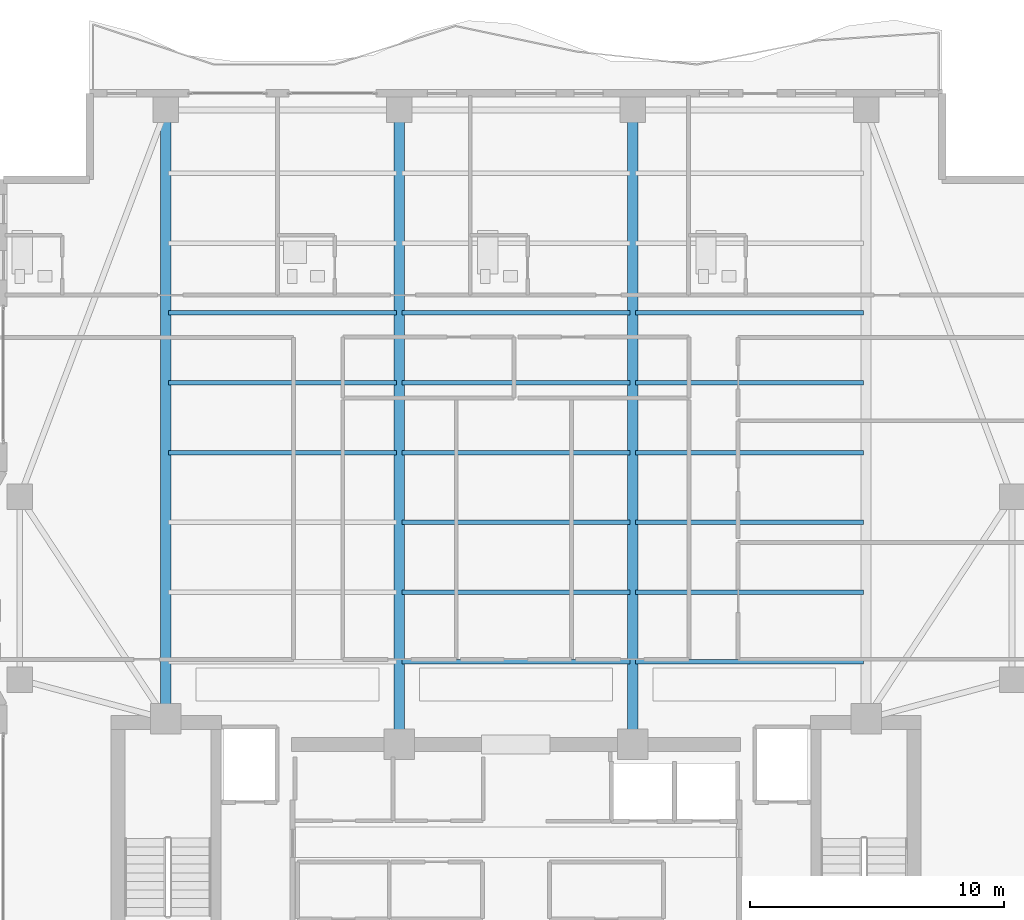
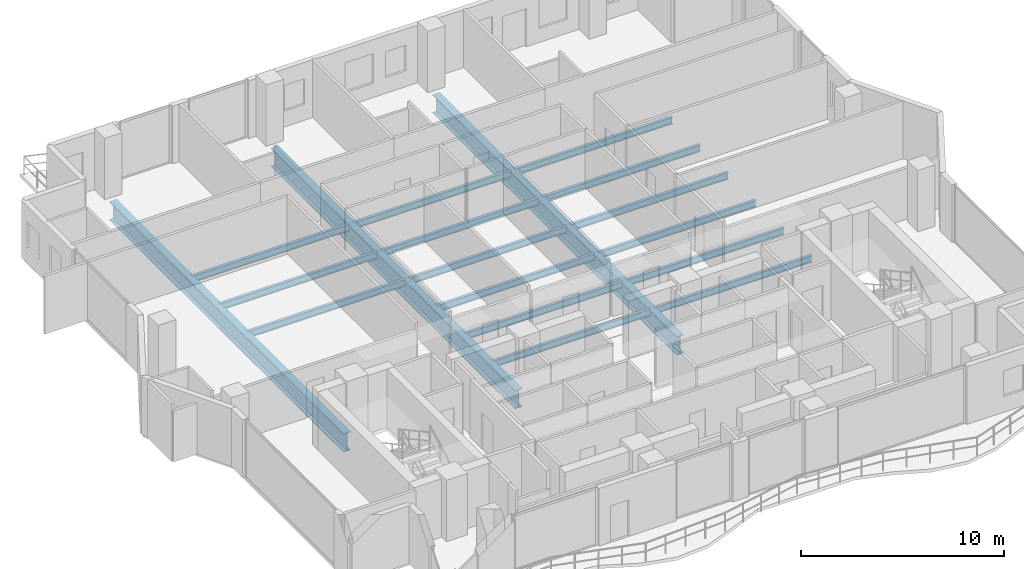
# One storey, part 7 of 24: 18 beams.
"""IFC4 building model written with IfcOpenShell, lengths in metres."""

import ifcopenshell
import ifcopenshell.guid

model = None  # the IFC model being written
_history = None  # IfcOwnerHistory: only IFC2X3 demands one
_inside = {}  # id of a spatial element -> (the spatial element, [elements in it])
_under = {}  # id of a project, library or spatial element -> (it, [spatial elements below it])
_declared = {}  # id of a project -> (the project, [libraries it declares])
_typed = {}  # id of a type object -> (the type object, [elements of that type])
_made_of = {}  # id of a material, layer set ... -> (it, [elements and type objects made of it])


def new_model(schema):
    """Start an empty IFC model of exactly this schema.

    Asked for "IFC4X3", IfcOpenShell would pick the latest addendum, in which some entities
    have other attributes; the version numbers below select the first issue.
    IFC2X3 requires an IfcOwnerHistory on every rooted entity: one is made here for all.
    """
    global model, _history
    if schema == "IFC4X3":
        model = ifcopenshell.file(schema_version=(4, 3, 0, 0))
    else:
        model = ifcopenshell.file(schema=schema)
    _inside.clear()
    _under.clear()
    _declared.clear()
    _typed.clear()
    _made_of.clear()
    _history = None
    if model.schema == "IFC2X3":
        org = make("IfcOrganization", Name="unknown")
        user = make(
            "IfcPersonAndOrganization",
            ThePerson=make("IfcPerson", FamilyName="unknown"),
            TheOrganization=org,
        )
        app = make(
            "IfcApplication",
            ApplicationDeveloper=org,
            Version="unknown",
            ApplicationFullName="unknown",
            ApplicationIdentifier="unknown",
        )
        _history = make(
            "IfcOwnerHistory",
            OwningUser=user,
            OwningApplication=app,
            ChangeAction="ADDED",
            CreationDate=0,
        )
    return model


def make(cls, **values):
    """One entity of the class cls with the attributes given. An attribute that is None is left unset."""
    return model.create_entity(
        cls, **{name: value for name, value in values.items() if value is not None}
    )


def rooted(cls, **values):
    """An entity with a GlobalId (a new one), such as an element, a storey or a relation."""
    return make(cls, GlobalId=ifcopenshell.guid.new(), OwnerHistory=_history, **values)


def si_unit(unit_type, name, prefix=None):
    """IfcSIUnit, for example si_unit("LENGTHUNIT", "METRE", prefix="MILLI")."""
    return make("IfcSIUnit", UnitType=unit_type, Prefix=prefix, Name=name)


def assignment(units):
    """IfcUnitAssignment: the units of a project."""
    return None if units is None else make("IfcUnitAssignment", Units=units)


def point(xyz):
    """IfcCartesianPoint."""
    return None if xyz is None else make("IfcCartesianPoint", Coordinates=xyz)


def direction(xyz):
    """IfcDirection."""
    return None if xyz is None else make("IfcDirection", DirectionRatios=xyz)


def frame(location, z_axis=None, x_axis=None):
    """IfcAxis2Placement3D, a coordinate frame: its origin and axes. An axis left out is left unset."""
    return make(
        "IfcAxis2Placement3D",
        Location=point(location),
        Axis=direction(z_axis),
        RefDirection=direction(x_axis),
    )


def frame_2d(location, x_axis=None):
    """IfcAxis2Placement2D, a coordinate frame in the plane: its origin and x axis."""
    return make(
        "IfcAxis2Placement2D", Location=point(location), RefDirection=direction(x_axis)
    )


def origin():
    """The frame at (0, 0, 0) with its axes left unset."""
    return frame((0.0, 0.0, 0.0))


def origin_2d():
    """The frame at (0, 0) in the plane with its x axis left unset."""
    return frame_2d((0.0, 0.0))


def place(relative_to, where):
    """IfcLocalPlacement: puts the frame where relative to a parent placement (None: the world)."""
    return make(
        "IfcLocalPlacement", PlacementRelTo=relative_to, RelativePlacement=where
    )


def context(
    kind, dimensions, precision=None, world=None, true_north=None, identifier=None
):
    """IfcGeometricRepresentationContext, for example the 3D "Model" context."""
    return make(
        "IfcGeometricRepresentationContext",
        ContextIdentifier=identifier,
        ContextType=kind,
        CoordinateSpaceDimension=dimensions,
        Precision=precision,
        WorldCoordinateSystem=world,
        TrueNorth=true_north,
    )


def subcontext(parent, identifier, kind, view, scale=None):
    """IfcGeometricRepresentationSubContext, for example "Body" below "Model"."""
    return make(
        "IfcGeometricRepresentationSubContext",
        ContextIdentifier=identifier,
        ContextType=kind,
        ParentContext=parent,
        TargetScale=scale,
        TargetView=view,
    )


def project(units=None, contexts=None):
    """IfcProject with its units and contexts."""
    return rooted(
        "IfcProject",
        Name="project",
        RepresentationContexts=contexts,
        UnitsInContext=assignment(units),
    )


def spatial(cls, under=None, at=None, **own):
    """A site, building, storey or space (cls), placed at a placement, below another one or the project."""
    s = rooted(cls, ObjectPlacement=at, **own)
    if under is not None:
        _under.setdefault(under.id(), (under, []))[1].append(s)
    return s


def profile(cls, at=None, kind="AREA", **sizes):
    """A parametric profile (cls). Its sizes go by their IFC names, for example OverallWidth=200.0."""
    return make(cls, ProfileType=kind, Position=at, **sizes)


def i_section(**sizes):
    """IfcIShapeProfileDef."""
    return profile("IfcIShapeProfileDef", **sizes)


def extrude(swept, where, along, depth):
    """IfcExtrudedAreaSolid: the profile swept, set in the frame where, extruded along a direction by depth."""
    return make(
        "IfcExtrudedAreaSolid",
        SweptArea=swept,
        Position=where,
        ExtrudedDirection=direction(along),
        Depth=depth,
    )


def shape(context_of_items, identifier, shape_type, items):
    """IfcShapeRepresentation: the items that make up one representation, for example the "Body"."""
    return make(
        "IfcShapeRepresentation",
        ContextOfItems=context_of_items,
        RepresentationIdentifier=identifier,
        RepresentationType=shape_type,
        Items=items,
    )


def material(Name=None, Category=None):
    """IfcMaterial."""
    return make("IfcMaterial", Name=Name, Category=Category)


def material_profile(
    of_material, cross_section, Name=None, Category=None, Priority=None
):
    """IfcMaterialProfile: a cross section and its material."""
    return make(
        "IfcMaterialProfile",
        Name=Name,
        Material=of_material,
        Profile=cross_section,
        Priority=Priority,
        Category=Category,
    )


def profile_set(profiles, Name=None, composite=None):
    """IfcMaterialProfileSet."""
    return make(
        "IfcMaterialProfileSet",
        Name=Name,
        MaterialProfiles=profiles,
        CompositeProfile=composite,
    )


def made_of(thing, what):
    """Note that an element or type object is made of a material, layer set ...; save() writes the relation."""
    if what is not None:
        _made_of.setdefault(what.id(), (what, []))[1].append(thing)
    return thing


def type_object(cls, material=None, **own):
    """A type object (cls), such as IfcWallType, which elements share."""
    return made_of(rooted(cls, **own), material)


def element(
    cls,
    number,
    at=None,
    inside=None,
    cuts=None,
    type_object=None,
    material=None,
    context=None,
    identifier="Body",
    shape_type=None,
    held_by="IfcProductDefinitionShape",
    body=None,
    shapes=None,
    **own,
):
    """One element of the class cls, such as IfcWall. Its Tag is "e" and its number.

    at: its placement. inside: the storey or other place that contains it. cuts: it is an
    opening in that element (IfcRelVoidsElement). A single representation is given by context,
    identifier, shape_type and body (its items); several are given by shapes. held_by: the class
    of the entity that holds the representations. save() writes the other relations.
    """
    e = rooted(cls, Tag="e%d" % number, ObjectPlacement=at, **own)
    if body is not None:
        shapes = [shape(context, identifier, shape_type, body)]
    if shapes is not None:
        e.Representation = make(held_by, Representations=shapes)
    if inside is not None:
        _inside.setdefault(inside.id(), (inside, []))[1].append(e)
    if cuts is not None:
        rooted(
            "IfcRelVoidsElement", RelatingBuildingElement=cuts, RelatedOpeningElement=e
        )
    if type_object is not None:
        _typed.setdefault(type_object.id(), (type_object, []))[1].append(e)
    return made_of(e, material)


def aggregate(whole, parts):
    """IfcRelAggregates: a whole, such as a stair, and the parts it consists of."""
    return rooted("IfcRelAggregates", RelatingObject=whole, RelatedObjects=parts)


def save(model, path):
    """Write the relations noted so far, then the file.

    IfcRelAggregates (storeys below a building ...), IfcRelContainedInSpatialStructure (elements
    in a storey), IfcRelDefinesByType, IfcRelAssociatesMaterial and IfcRelDeclares: one each for
    every whole, place, type object, material and project.
    """
    for whole, parts in _under.values():
        aggregate(whole, parts)
    for where, things in _inside.values():
        rooted(
            "IfcRelContainedInSpatialStructure",
            RelatedElements=things,
            RelatingStructure=where,
        )
    for kind, things in _typed.values():
        rooted("IfcRelDefinesByType", RelatedObjects=things, RelatingType=kind)
    for what, things in _made_of.values():
        rooted("IfcRelAssociatesMaterial", RelatedObjects=things, RelatingMaterial=what)
    for by, libraries in _declared.values():
        rooted("IfcRelDeclares", RelatingContext=by, RelatedDefinitions=libraries)
    model.write(path)


model = new_model("IFC4")

# Units and contexts
model_context = context("Model", 3, precision=1e-05, world=origin(), true_north=direction((0.0, 1.0)))
body_context = subcontext(model_context, "Body", "Model", "MODEL_VIEW")
ifc_project = project(units=[si_unit("LENGTHUNIT", "METRE"), si_unit("AREAUNIT", "SQUARE_METRE"), si_unit("VOLUMEUNIT", "CUBIC_METRE"), si_unit("PLANEANGLEUNIT", "RADIAN"), si_unit("MASSUNIT", "GRAM", prefix="KILO")], contexts=[model_context])

# Site, building, storey
site_placement = place(None, origin())
site = spatial("IfcSite", under=ifc_project, at=site_placement, CompositionType="ELEMENT")
building_placement = place(site_placement, origin())
building = spatial("IfcBuilding", under=site, at=building_placement, Name="Zuhayl Quay Hotel", CompositionType="ELEMENT")
storey_placement = place(building_placement, frame((0.0, 0.0, 280.35009765625)))
storey = spatial("IfcBuildingStorey", under=building, at=storey_placement, Name="L71", CompositionType="ELEMENT", Elevation=280.35009765625)

# Beams
ifc_material_1 = material(Name="Steel ASTM A992 Grade 50", Category="steel")
ifc_material_profile_1 = material_profile(ifc_material_1, i_section(OverallWidth=0.177978515625, OverallDepth=0.404052734375, WebThickness=0.007568359375, FlangeThickness=0.010986328125, at=origin_2d()), Name="W16X36")
ifc_profile_set_1 = profile_set([ifc_material_profile_1], Name="Steel ASTM A992 Grade 50")
beam_type_1 = type_object("IfcBeamType", Name="BM_J3_W16X36", PredefinedType="JOIST", material=ifc_profile_set_1)
beam_1_placement = place(storey_placement, frame((-4.493896484375, 16.60009765625, -0.422119140625), z_axis=(1.0, 0.0, 0.0), x_axis=(0.0, 1.0, 0.0)))
element("IfcBeam", 1, at=beam_1_placement, inside=storey, type_object=beam_type_1, Name="L71 Floor Beam FJ_L71_1_2", PredefinedType="JOIST", context=body_context, shape_type="SweptSolid", body=[
    extrude(i_section(OverallWidth=0.177978515625, OverallDepth=0.404052734375, WebThickness=0.007568359375, FlangeThickness=0.010986328125, at=origin_2d()), origin(), (0.0, 0.0, 1.0), 8.98779296875),
])
beam_2_placement = place(storey_placement, frame((4.7060546875, 16.60009765625, -0.422119140625), z_axis=(1.0, 0.0, 0.0), x_axis=(0.0, 1.0, 0.0)))
element("IfcBeam", 2, at=beam_2_placement, inside=storey, type_object=beam_type_1, Name="L71 Floor Beam FJ_L71_1_3", PredefinedType="JOIST", context=body_context, shape_type="SweptSolid", body=[
    extrude(i_section(OverallWidth=0.177978515625, OverallDepth=0.404052734375, WebThickness=0.007568359375, FlangeThickness=0.010986328125, at=origin_2d()), origin(), (0.0, 0.0, 1.0), 8.988037109375),
])
beam_3_placement = place(storey_placement, frame((-4.493896484375, 19.35009765625, -0.422119140625), z_axis=(1.0, 0.0, 0.0), x_axis=(0.0, 1.0, 0.0)))
element("IfcBeam", 3, at=beam_3_placement, inside=storey, type_object=beam_type_1, Name="L71 Floor Beam FJ_L71_2_2", PredefinedType="JOIST", context=body_context, shape_type="SweptSolid", body=[
    extrude(i_section(OverallWidth=0.177978515625, OverallDepth=0.404052734375, WebThickness=0.007568359375, FlangeThickness=0.010986328125, at=origin_2d()), origin(), (0.0, 0.0, 1.0), 8.98779296875),
])
beam_4_placement = place(storey_placement, frame((4.7060546875, 19.35009765625, -0.422119140625), z_axis=(1.0, 0.0, 0.0), x_axis=(0.0, 1.0, 0.0)))
element("IfcBeam", 4, at=beam_4_placement, inside=storey, type_object=beam_type_1, Name="L71 Floor Beam FJ_L71_2_3", PredefinedType="JOIST", context=body_context, shape_type="SweptSolid", body=[
    extrude(i_section(OverallWidth=0.177978515625, OverallDepth=0.404052734375, WebThickness=0.007568359375, FlangeThickness=0.010986328125, at=origin_2d()), origin(), (0.0, 0.0, 1.0), 8.988037109375),
])
beam_5_placement = place(storey_placement, frame((-4.493896484375, 22.10009765625, -0.422119140625), z_axis=(1.0, 0.0, 0.0), x_axis=(0.0, 1.0, 0.0)))
element("IfcBeam", 5, at=beam_5_placement, inside=storey, type_object=beam_type_1, Name="L71 Floor Beam FJ_L71_3_2", PredefinedType="JOIST", context=body_context, shape_type="SweptSolid", body=[
    extrude(i_section(OverallWidth=0.177978515625, OverallDepth=0.404052734375, WebThickness=0.007568359375, FlangeThickness=0.010986328125, at=origin_2d()), origin(), (0.0, 0.0, 1.0), 8.98779296875),
])
for number, where, z_axis, x_axis, name in (
    (6, (4.7060546875, 22.10009765625, -0.422119140625), (1.0, 0.0, 0.0), (0.0, 1.0, 0.0), "L71 Floor Beam FJ_L71_3_3"),
    (7, (-13.694091796875, 24.85009765625, -0.422119140625), (1.0, 0.0, 0.0), (0.0, 1.0, 0.0), "L71 Floor Beam FJ_L71_4_1"),
):
    element("IfcBeam", number, at=place(storey_placement, frame(where, z_axis=z_axis, x_axis=x_axis)), inside=storey, type_object=beam_type_1, Name=name, PredefinedType="JOIST", context=body_context, shape_type="SweptSolid", body=[
        extrude(i_section(OverallWidth=0.177978515625, OverallDepth=0.404052734375, WebThickness=0.007568359375, FlangeThickness=0.010986328125, at=origin_2d()), origin(), (0.0, 0.0, 1.0), 8.988037109375),
    ])
beam_6_placement = place(storey_placement, frame((-4.493896484375, 24.85009765625, -0.422119140625), z_axis=(1.0, 0.0, 0.0), x_axis=(0.0, 1.0, 0.0)))
element("IfcBeam", 8, at=beam_6_placement, inside=storey, type_object=beam_type_1, Name="L71 Floor Beam FJ_L71_4_2", PredefinedType="JOIST", context=body_context, shape_type="SweptSolid", body=[
    extrude(i_section(OverallWidth=0.177978515625, OverallDepth=0.404052734375, WebThickness=0.007568359375, FlangeThickness=0.010986328125, at=origin_2d()), origin(), (0.0, 0.0, 1.0), 8.98779296875),
])
for number, where, z_axis, x_axis, name in (
    (9, (4.7060546875, 24.85009765625, -0.422119140625), (1.0, 0.0, 0.0), (0.0, 1.0, 0.0), "L71 Floor Beam FJ_L71_4_3"),
    (10, (-13.694091796875, 27.60009765625, -0.422119140625), (1.0, 0.0, 0.0), (0.0, 1.0, 0.0), "L71 Floor Beam FJ_L71_5_1"),
):
    element("IfcBeam", number, at=place(storey_placement, frame(where, z_axis=z_axis, x_axis=x_axis)), inside=storey, type_object=beam_type_1, Name=name, PredefinedType="JOIST", context=body_context, shape_type="SweptSolid", body=[
        extrude(i_section(OverallWidth=0.177978515625, OverallDepth=0.404052734375, WebThickness=0.007568359375, FlangeThickness=0.010986328125, at=origin_2d()), origin(), (0.0, 0.0, 1.0), 8.988037109375),
    ])
beam_7_placement = place(storey_placement, frame((-4.493896484375, 27.60009765625, -0.422119140625), z_axis=(1.0, 0.0, 0.0), x_axis=(0.0, 1.0, 0.0)))
element("IfcBeam", 11, at=beam_7_placement, inside=storey, type_object=beam_type_1, Name="L71 Floor Beam FJ_L71_5_2", PredefinedType="JOIST", context=body_context, shape_type="SweptSolid", body=[
    extrude(i_section(OverallWidth=0.177978515625, OverallDepth=0.404052734375, WebThickness=0.007568359375, FlangeThickness=0.010986328125, at=origin_2d()), origin(), (0.0, 0.0, 1.0), 8.98779296875),
])
for number, where, z_axis, x_axis, name in (
    (12, (4.7060546875, 27.60009765625, -0.422119140625), (1.0, 0.0, 0.0), (0.0, 1.0, 0.0), "L71 Floor Beam FJ_L71_5_3"),
    (13, (-13.694091796875, 30.35009765625, -0.422119140625), (1.0, 0.0, 0.0), (0.0, 1.0, 0.0), "L71 Floor Beam FJ_L71_6_1"),
):
    element("IfcBeam", number, at=place(storey_placement, frame(where, z_axis=z_axis, x_axis=x_axis)), inside=storey, type_object=beam_type_1, Name=name, PredefinedType="JOIST", context=body_context, shape_type="SweptSolid", body=[
        extrude(i_section(OverallWidth=0.177978515625, OverallDepth=0.404052734375, WebThickness=0.007568359375, FlangeThickness=0.010986328125, at=origin_2d()), origin(), (0.0, 0.0, 1.0), 8.988037109375),
    ])
beam_8_placement = place(storey_placement, frame((-4.493896484375, 30.35009765625, -0.422119140625), z_axis=(1.0, 0.0, 0.0), x_axis=(0.0, 1.0, 0.0)))
element("IfcBeam", 14, at=beam_8_placement, inside=storey, type_object=beam_type_1, Name="L71 Floor Beam FJ_L71_6_2", PredefinedType="JOIST", context=body_context, shape_type="SweptSolid", body=[
    extrude(i_section(OverallWidth=0.177978515625, OverallDepth=0.404052734375, WebThickness=0.007568359375, FlangeThickness=0.010986328125, at=origin_2d()), origin(), (0.0, 0.0, 1.0), 8.98779296875),
])
beam_9_placement = place(storey_placement, frame((4.7060546875, 30.35009765625, -0.422119140625), z_axis=(1.0, 0.0, 0.0), x_axis=(0.0, 1.0, 0.0)))
element("IfcBeam", 15, at=beam_9_placement, inside=storey, type_object=beam_type_1, Name="L71 Floor Beam FJ_L71_6_3", PredefinedType="JOIST", context=body_context, shape_type="SweptSolid", body=[
    extrude(i_section(OverallWidth=0.177978515625, OverallDepth=0.404052734375, WebThickness=0.007568359375, FlangeThickness=0.010986328125, at=origin_2d()), origin(), (0.0, 0.0, 1.0), 8.988037109375),
])
ifc_material_2 = material(Name="Steel ASTM A913 Grade 65", Category="steel")
ifc_material_profile_2 = material_profile(ifc_material_2, i_section(OverallWidth=0.404052734375, OverallDepth=1.117919921875, WebThickness=0.026123046875, FlangeThickness=0.044921875, at=origin_2d()), Name="W44X335")
ifc_profile_set_2 = profile_set([ifc_material_profile_2], Name="Steel ASTM A913 Grade 65")
beam_type_2 = type_object("IfcBeamType", Name="BM_TG1_W44X335", PredefinedType="BEAM", material=ifc_profile_set_2)
beam_10_placement = place(storey_placement, frame((-13.800048828125, 14.800048828125, -0.779052734375), z_axis=(0.0, 1.0, 0.0), x_axis=(-1.0, 0.0, 0.0)))
element("IfcBeam", 16, at=beam_10_placement, inside=storey, type_object=beam_type_2, Name="L71 Floor Beam FG_N_L71_1", PredefinedType="BEAM", context=body_context, shape_type="SweptSolid", body=[
    extrude(i_section(OverallWidth=0.404052734375, OverallDepth=1.117919921875, WebThickness=0.026123046875, FlangeThickness=0.044921875, at=origin_2d()), origin(), (0.0, 0.0, 1.0), 23.08984375),
])
for number, where, z_axis, x_axis, name in (
    (17, (-4.60009765625, 13.800048828125, -0.779052734375), (0.0, 1.0, 0.0), (-1.0, 0.0, 0.0), "L71 Floor Beam FG_N_L71_2"),
    (18, (4.60009765625, 13.800048828125, -0.779052734375), (0.0, 1.0, 0.0), (-1.0, 0.0, 0.0), "L71 Floor Beam FG_N_L71_3"),
):
    element("IfcBeam", number, at=place(storey_placement, frame(where, z_axis=z_axis, x_axis=x_axis)), inside=storey, type_object=beam_type_2, Name=name, PredefinedType="BEAM", context=body_context, shape_type="SweptSolid", body=[
        extrude(i_section(OverallWidth=0.404052734375, OverallDepth=1.117919921875, WebThickness=0.026123046875, FlangeThickness=0.044921875, at=origin_2d()), origin(), (0.0, 0.0, 1.0), 24.08984375),
    ])

save(model, "model.ifc")
